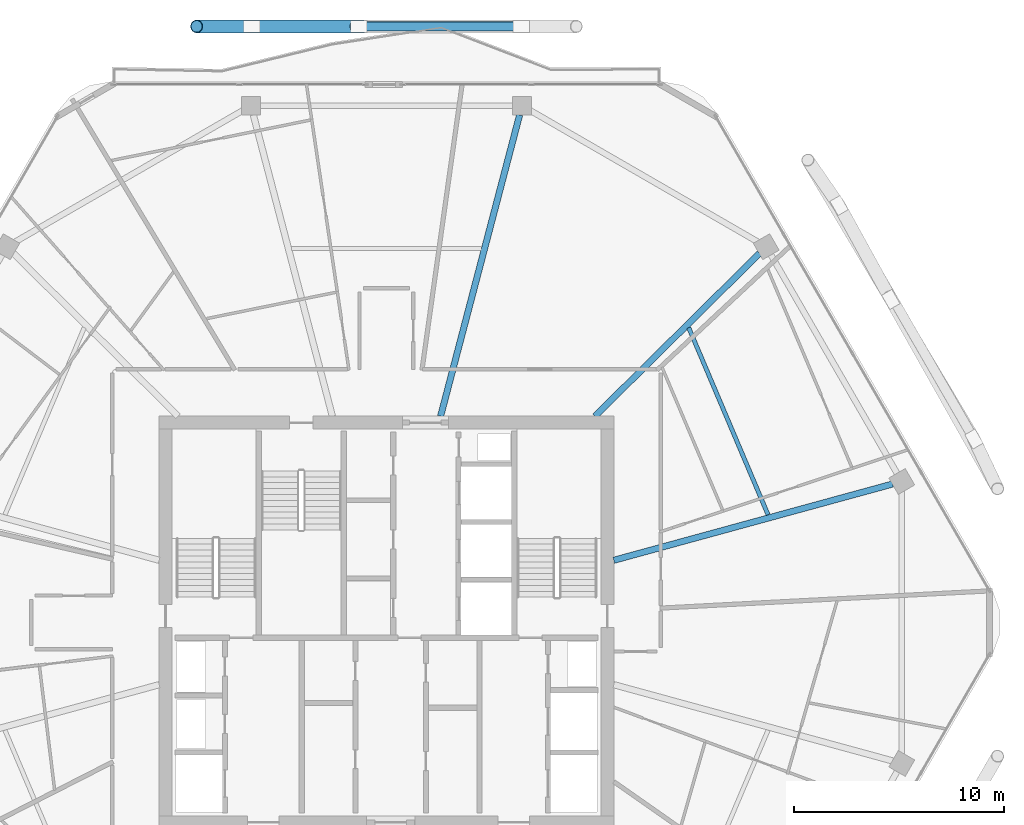
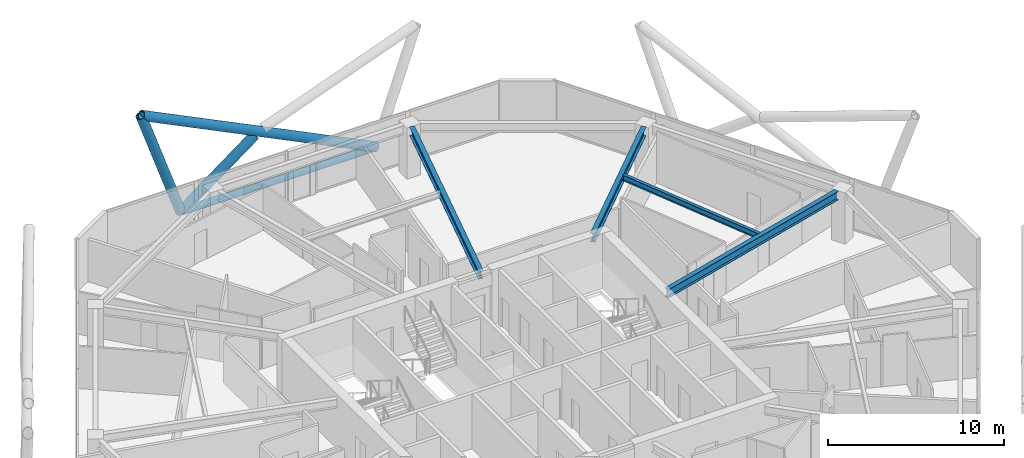
# One storey, part 16 of 28: 4 beams, 4 members.
"""IFC4 building model written with IfcOpenShell, lengths in metres."""

from ifc_helpers import new_model, si_unit, direction, frame, origin, origin_2d, place, context, subcontext, project, spatial, hollow_circle, i_section, extrude, material, material_profile, profile_set, type_object, element, save


model = new_model("IFC4")

# Units and contexts
model_context = context("Model", 3, precision=1e-05, world=origin(), true_north=direction((0.0, 1.0)))
body_context = subcontext(model_context, "Body", "Model", "MODEL_VIEW")
ifc_project = project(units=[si_unit("LENGTHUNIT", "METRE"), si_unit("AREAUNIT", "SQUARE_METRE"), si_unit("VOLUMEUNIT", "CUBIC_METRE"), si_unit("PLANEANGLEUNIT", "RADIAN"), si_unit("MASSUNIT", "GRAM", prefix="KILO")], contexts=[model_context])

# Site, building, storey
site_placement = place(None, origin())
site = spatial("IfcSite", under=ifc_project, at=site_placement, CompositionType="ELEMENT")
building_placement = place(site_placement, origin())
building = spatial("IfcBuilding", under=site, at=building_placement, Name="Zuhravey Tower", CompositionType="ELEMENT")
storey_placement = place(building_placement, frame((0.0, 0.0, 254.0)))
storey = spatial("IfcBuildingStorey", under=building, at=storey_placement, Name="L64", CompositionType="ELEMENT", Elevation=254.0)

# Members
ifc_material = material(Name="Steel SM355", Category="steel")
ifc_material_profile_1 = material_profile(ifc_material, hollow_circle(Radius=0.228515625, WallThickness=0.02197265625, at=origin_2d()), Name="CHS-457.2x22")
ifc_profile_set_1 = profile_set([ifc_material_profile_1], Name="Steel SM355")
member_type_1 = type_object("IfcMemberType", Name="Exoskeleton Ring Tie CHS457x22", PredefinedType="CHORD", material=ifc_profile_set_1)
member_1_placement = place(storey_placement, frame((42.267578125, 60.323486328125, -0.464111328125), z_axis=(-1.0, 0.0, 0.0), x_axis=(0.0, -1.0, 0.0)))
element("IfcMember", 1, at=member_1_placement, inside=storey, type_object=member_type_1, Name="L64 Exoskeleton Face 2 Tie EXR1", PredefinedType="CHORD", context=body_context, shape_type="SweptSolid", body=[
    extrude(hollow_circle(Radius=0.228515625, WallThickness=0.02197265625, at=origin_2d()), origin(), (0.0, 0.0, 1.0), 12.53515625),
])
ifc_material_profile_2 = material_profile(ifc_material, hollow_circle(Radius=0.3046875, WallThickness=0.028076171875, at=origin_2d()), Name="CHS-609.6x28")
ifc_profile_set_2 = profile_set([ifc_material_profile_2], Name="Steel SM355")
member_type_2 = type_object("IfcMemberType", Name="Exoskeleton Zone 3 Diagrid CHS610x28", PredefinedType="BRACE", material=ifc_profile_set_2)
member_2_placement = place(storey_placement, frame((42.37109375, 60.323486328125, -0.446044921875), z_axis=(-0.897161810558, 0.0, 0.441702032683), x_axis=(0.0, -1.0, 0.0)))
element("IfcMember", 2, at=member_2_placement, inside=storey, type_object=member_type_2, Name="L64 Face 2 Diagrid Brace 2", PredefinedType="BRACE", context=body_context, shape_type="SweptSolid", body=[
    extrude(hollow_circle(Radius=0.3046875, WallThickness=0.028076171875, at=origin_2d()), origin(), (0.0, 0.0, 1.0), 17.12451171875),
])
member_3_placement = place(storey_placement, frame((29.586181640625, 60.323486328125, -0.446044921875), z_axis=(-0.326060268586, 0.0, 0.945348983841), x_axis=(0.0, -1.0, 0.0)))
element("IfcMember", 3, at=member_3_placement, inside=storey, type_object=member_type_2, Name="L64 Face 2 Diagrid Brace 4", PredefinedType="BRACE", context=body_context, shape_type="SweptSolid", body=[
    extrude(hollow_circle(Radius=0.3046875, WallThickness=0.028076171875, at=origin_2d()), origin(), (0.0, 0.0, 1.0), 8.001220703125),
])
member_4_placement = place(storey_placement, frame((29.625, 60.323486328125, -0.439697265625), z_axis=(0.801714073603, 0.0, 0.597707741448), x_axis=(0.0, 1.0, 0.0)))
element("IfcMember", 4, at=member_4_placement, inside=storey, type_object=member_type_2, Name="L64 Face 2 Split Diagrid Brace 3A", PredefinedType="BRACE", context=body_context, shape_type="SweptSolid", body=[
    extrude(hollow_circle(Radius=0.3046875, WallThickness=0.028076171875, at=origin_2d()), origin(), (0.0, 0.0, 1.0), 6.02197265625),
])

# Beams
ifc_material_profile_3 = material_profile(ifc_material, i_section(OverallWidth=0.300048828125, OverallDepth=0.60009765625, WebThickness=0.011962890625, FlangeThickness=0.02001953125, at=origin_2d()), Name="H-600x300x12x20")
ifc_profile_set_3 = profile_set([ifc_material_profile_3], Name="Steel SM355")
beam_type_1 = type_object("IfcBeamType", Name="Radial Primary Girder H600x300", PredefinedType="BEAM", material=ifc_profile_set_3)
beam_1_placement = place(storey_placement, frame((46.802978515625, 34.95556640625, 3.25), z_axis=(0.964548913045, 0.26390413855, 0.0), x_axis=(-0.26390413855, 0.964548913045, 0.0)))
element("IfcBeam", 5, at=beam_1_placement, inside=storey, type_object=beam_type_1, Name="L64 RG3 BM-L64-RAD-01", PredefinedType="BEAM", context=body_context, shape_type="SweptSolid", body=[
    extrude(i_section(OverallWidth=0.300048828125, OverallDepth=0.60009765625, WebThickness=0.011962890625, FlangeThickness=0.02001953125, at=origin_2d()), origin(), (0.0, 0.0, 1.0), 13.7314453125),
])
beam_2_placement = place(storey_placement, frame((45.90673828125, 41.802978515625, 3.25), z_axis=(0.710816516282, 0.703377480576, 0.0), x_axis=(-0.703377480576, 0.710816516282, 0.0)))
element("IfcBeam", 6, at=beam_2_placement, inside=storey, type_object=beam_type_1, Name="L64 RG3 BM-L64-RAD-02", PredefinedType="BEAM", context=body_context, shape_type="SweptSolid", body=[
    extrude(i_section(OverallWidth=0.300048828125, OverallDepth=0.60009765625, WebThickness=0.011962890625, FlangeThickness=0.02001953125, at=origin_2d()), origin(), (0.0, 0.0, 1.0), 10.994384765625),
])
beam_3_placement = place(storey_placement, frame((38.571533203125, 41.802978515625, 3.25), z_axis=(0.253731415841, 0.967274712073, 0.0), x_axis=(-0.967274712073, 0.253731415841, 0.0)))
element("IfcBeam", 7, at=beam_3_placement, inside=storey, type_object=beam_type_1, Name="L64 RG3 BM-L64-RAD-03", PredefinedType="BEAM", context=body_context, shape_type="SweptSolid", body=[
    extrude(i_section(OverallWidth=0.300048828125, OverallDepth=0.60009765625, WebThickness=0.011962890625, FlangeThickness=0.02001953125, at=origin_2d()), origin(), (0.0, 0.0, 1.0), 14.796630859375),
])
ifc_material_profile_4 = material_profile(ifc_material, i_section(OverallWidth=0.199951171875, OverallDepth=0.39990234375, WebThickness=0.008056640625, FlangeThickness=0.012939453125, at=origin_2d()), Name="H-400x200x8x13")
ifc_profile_set_4 = profile_set([ifc_material_profile_4], Name="Steel SM355")
beam_type_2 = type_object("IfcBeamType", Name="Secondary Floor Joist H400x200", PredefinedType="JOIST", material=ifc_profile_set_4)
beam_4_placement = place(storey_placement, frame((54.130859375, 37.118896484375, 3.35009765625), z_axis=(-0.390413493754, 0.920639616731, 0.0), x_axis=(-0.920639616731, -0.390413493754, 0.0)))
element("IfcBeam", 8, at=beam_4_placement, inside=storey, type_object=beam_type_2, Name="L64 SJ2 BM-L64-SJ-01-1", PredefinedType="JOIST", context=body_context, shape_type="SweptSolid", body=[
    extrude(i_section(OverallWidth=0.199951171875, OverallDepth=0.39990234375, WebThickness=0.008056640625, FlangeThickness=0.012939453125, at=origin_2d()), origin(), (0.0, 0.0, 1.0), 9.656494140625),
])

save(model, "model.ifc")
